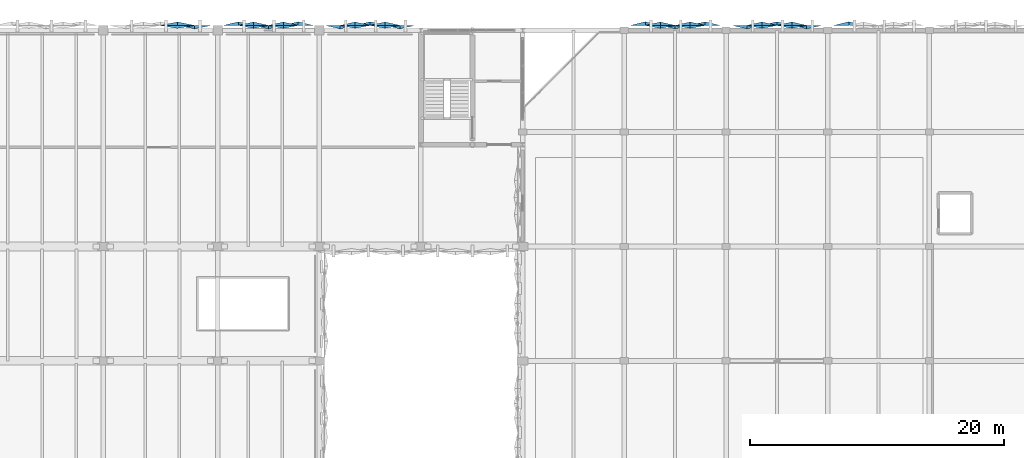
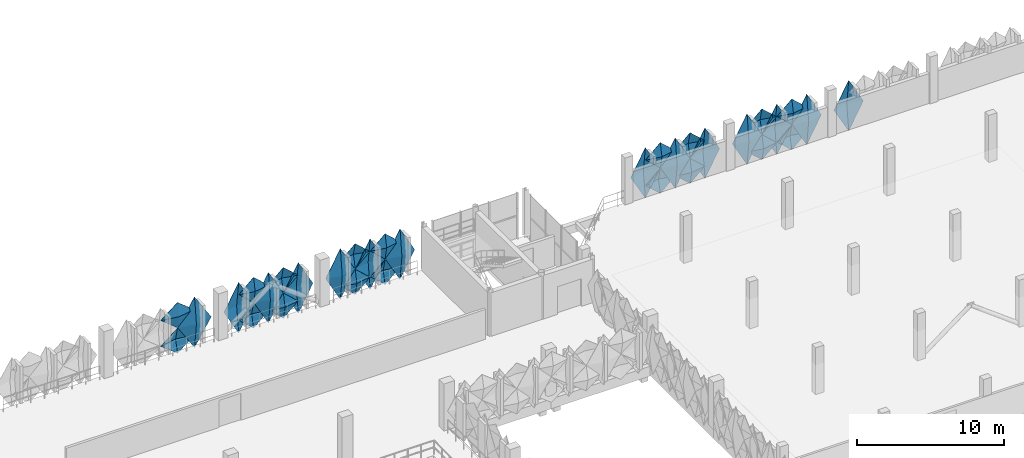
# One storey, part 65 of 76: 32 plates.
"""IFC4 building model written with IfcOpenShell, lengths in metres."""

import ifcopenshell
import ifcopenshell.guid

model = None  # the IFC model being written
_history = None  # IfcOwnerHistory: only IFC2X3 demands one
_inside = {}  # id of a spatial element -> (the spatial element, [elements in it])
_under = {}  # id of a project, library or spatial element -> (it, [spatial elements below it])
_declared = {}  # id of a project -> (the project, [libraries it declares])
_typed = {}  # id of a type object -> (the type object, [elements of that type])
_made_of = {}  # id of a material, layer set ... -> (it, [elements and type objects made of it])


def new_model(schema):
    """Start an empty IFC model of exactly this schema.

    Asked for "IFC4X3", IfcOpenShell would pick the latest addendum, in which some entities
    have other attributes; the version numbers below select the first issue.
    IFC2X3 requires an IfcOwnerHistory on every rooted entity: one is made here for all.
    """
    global model, _history
    if schema == "IFC4X3":
        model = ifcopenshell.file(schema_version=(4, 3, 0, 0))
    else:
        model = ifcopenshell.file(schema=schema)
    _inside.clear()
    _under.clear()
    _declared.clear()
    _typed.clear()
    _made_of.clear()
    _history = None
    if model.schema == "IFC2X3":
        org = make("IfcOrganization", Name="unknown")
        user = make(
            "IfcPersonAndOrganization",
            ThePerson=make("IfcPerson", FamilyName="unknown"),
            TheOrganization=org,
        )
        app = make(
            "IfcApplication",
            ApplicationDeveloper=org,
            Version="unknown",
            ApplicationFullName="unknown",
            ApplicationIdentifier="unknown",
        )
        _history = make(
            "IfcOwnerHistory",
            OwningUser=user,
            OwningApplication=app,
            ChangeAction="ADDED",
            CreationDate=0,
        )
    return model


def make(cls, **values):
    """One entity of the class cls with the attributes given. An attribute that is None is left unset."""
    return model.create_entity(
        cls, **{name: value for name, value in values.items() if value is not None}
    )


def rooted(cls, **values):
    """An entity with a GlobalId (a new one), such as an element, a storey or a relation."""
    return make(cls, GlobalId=ifcopenshell.guid.new(), OwnerHistory=_history, **values)


def si_unit(unit_type, name, prefix=None):
    """IfcSIUnit, for example si_unit("LENGTHUNIT", "METRE", prefix="MILLI")."""
    return make("IfcSIUnit", UnitType=unit_type, Prefix=prefix, Name=name)


def derived_unit(unit_type, elements):
    """IfcDerivedUnit: a product of units, each with its exponent."""
    return make(
        "IfcDerivedUnit",
        Elements=[
            make("IfcDerivedUnitElement", Unit=unit, Exponent=power)
            for unit, power in elements
        ],
        UnitType=unit_type,
    )


def assignment(units):
    """IfcUnitAssignment: the units of a project."""
    return None if units is None else make("IfcUnitAssignment", Units=units)


def point(xyz):
    """IfcCartesianPoint."""
    return None if xyz is None else make("IfcCartesianPoint", Coordinates=xyz)


def direction(xyz):
    """IfcDirection."""
    return None if xyz is None else make("IfcDirection", DirectionRatios=xyz)


def frame(location, z_axis=None, x_axis=None):
    """IfcAxis2Placement3D, a coordinate frame: its origin and axes. An axis left out is left unset."""
    return make(
        "IfcAxis2Placement3D",
        Location=point(location),
        Axis=direction(z_axis),
        RefDirection=direction(x_axis),
    )


def origin():
    """The frame at (0, 0, 0) with its axes left unset."""
    return frame((0.0, 0.0, 0.0))


def place(relative_to, where):
    """IfcLocalPlacement: puts the frame where relative to a parent placement (None: the world)."""
    return make(
        "IfcLocalPlacement", PlacementRelTo=relative_to, RelativePlacement=where
    )


def context(
    kind, dimensions, precision=None, world=None, true_north=None, identifier=None
):
    """IfcGeometricRepresentationContext, for example the 3D "Model" context."""
    return make(
        "IfcGeometricRepresentationContext",
        ContextIdentifier=identifier,
        ContextType=kind,
        CoordinateSpaceDimension=dimensions,
        Precision=precision,
        WorldCoordinateSystem=world,
        TrueNorth=true_north,
    )


def subcontext(parent, identifier, kind, view, scale=None):
    """IfcGeometricRepresentationSubContext, for example "Body" below "Model"."""
    return make(
        "IfcGeometricRepresentationSubContext",
        ContextIdentifier=identifier,
        ContextType=kind,
        ParentContext=parent,
        TargetScale=scale,
        TargetView=view,
    )


def project(units=None, contexts=None):
    """IfcProject with its units and contexts."""
    return rooted(
        "IfcProject",
        Name="project",
        RepresentationContexts=contexts,
        UnitsInContext=assignment(units),
    )


def spatial(cls, under=None, at=None, **own):
    """A site, building, storey or space (cls), placed at a placement, below another one or the project."""
    s = rooted(cls, ObjectPlacement=at, **own)
    if under is not None:
        _under.setdefault(under.id(), (under, []))[1].append(s)
    return s


def point_list(points):
    """IfcCartesianPointList2D or 3D."""
    cls = (
        "IfcCartesianPointList2D" if len(points[0]) == 2 else "IfcCartesianPointList3D"
    )
    return make(cls, CoordList=points)


def polygons(points, faces, closed=None, point_numbers=None):
    """IfcPolygonalFaceSet: a face is its outer loop, then its inner loops; points numbered from 1."""
    made = []
    for loops in faces:
        if len(loops) == 1:
            made.append(make("IfcIndexedPolygonalFace", CoordIndex=loops[0]))
        else:
            made.append(
                make(
                    "IfcIndexedPolygonalFaceWithVoids",
                    CoordIndex=loops[0],
                    InnerCoordIndices=loops[1:],
                )
            )
    return make(
        "IfcPolygonalFaceSet",
        Coordinates=point_list(points),
        Closed=closed,
        Faces=made,
        PnIndex=point_numbers,
    )


def shape(context_of_items, identifier, shape_type, items):
    """IfcShapeRepresentation: the items that make up one representation, for example the "Body"."""
    return make(
        "IfcShapeRepresentation",
        ContextOfItems=context_of_items,
        RepresentationIdentifier=identifier,
        RepresentationType=shape_type,
        Items=items,
    )


def material(Name=None, Category=None):
    """IfcMaterial."""
    return make("IfcMaterial", Name=Name, Category=Category)


def layer(
    of_material, thickness, ventilated=None, Name=None, Category=None, Priority=None
):
    """IfcMaterialLayer: one layer of a wall or slab, of a material (None: an air gap)."""
    return make(
        "IfcMaterialLayer",
        Material=of_material,
        LayerThickness=thickness,
        IsVentilated=ventilated,
        Name=Name,
        Category=Category,
        Priority=Priority,
    )


def layer_set(layers, Name=None):
    """IfcMaterialLayerSet."""
    return make("IfcMaterialLayerSet", MaterialLayers=layers, LayerSetName=Name)


def made_of(thing, what):
    """Note that an element or type object is made of a material, layer set ...; save() writes the relation."""
    if what is not None:
        _made_of.setdefault(what.id(), (what, []))[1].append(thing)
    return thing


def type_object(cls, material=None, **own):
    """A type object (cls), such as IfcWallType, which elements share."""
    return made_of(rooted(cls, **own), material)


def element(
    cls,
    number,
    at=None,
    inside=None,
    cuts=None,
    type_object=None,
    material=None,
    context=None,
    identifier="Body",
    shape_type=None,
    held_by="IfcProductDefinitionShape",
    body=None,
    shapes=None,
    **own,
):
    """One element of the class cls, such as IfcWall. Its Tag is "e" and its number.

    at: its placement. inside: the storey or other place that contains it. cuts: it is an
    opening in that element (IfcRelVoidsElement). A single representation is given by context,
    identifier, shape_type and body (its items); several are given by shapes. held_by: the class
    of the entity that holds the representations. save() writes the other relations.
    """
    e = rooted(cls, Tag="e%d" % number, ObjectPlacement=at, **own)
    if body is not None:
        shapes = [shape(context, identifier, shape_type, body)]
    if shapes is not None:
        e.Representation = make(held_by, Representations=shapes)
    if inside is not None:
        _inside.setdefault(inside.id(), (inside, []))[1].append(e)
    if cuts is not None:
        rooted(
            "IfcRelVoidsElement", RelatingBuildingElement=cuts, RelatedOpeningElement=e
        )
    if type_object is not None:
        _typed.setdefault(type_object.id(), (type_object, []))[1].append(e)
    return made_of(e, material)


def aggregate(whole, parts):
    """IfcRelAggregates: a whole, such as a stair, and the parts it consists of."""
    return rooted("IfcRelAggregates", RelatingObject=whole, RelatedObjects=parts)


def save(model, path):
    """Write the relations noted so far, then the file.

    IfcRelAggregates (storeys below a building ...), IfcRelContainedInSpatialStructure (elements
    in a storey), IfcRelDefinesByType, IfcRelAssociatesMaterial and IfcRelDeclares: one each for
    every whole, place, type object, material and project.
    """
    for whole, parts in _under.values():
        aggregate(whole, parts)
    for where, things in _inside.values():
        rooted(
            "IfcRelContainedInSpatialStructure",
            RelatedElements=things,
            RelatingStructure=where,
        )
    for kind, things in _typed.values():
        rooted("IfcRelDefinesByType", RelatedObjects=things, RelatingType=kind)
    for what, things in _made_of.values():
        rooted("IfcRelAssociatesMaterial", RelatedObjects=things, RelatingMaterial=what)
    for by, libraries in _declared.values():
        rooted("IfcRelDeclares", RelatingContext=by, RelatedDefinitions=libraries)
    model.write(path)


model = new_model("IFC4")

# Units and contexts
model_context = context("Model", 3, precision=1e-05, world=origin(), true_north=direction((0.0, 1.0)))
body_context = subcontext(model_context, "Body", "Model", "MODEL_VIEW")
ifc_project = project(units=[si_unit("LENGTHUNIT", "METRE"), si_unit("AREAUNIT", "SQUARE_METRE"), si_unit("VOLUMEUNIT", "CUBIC_METRE"), si_unit("PLANEANGLEUNIT", "RADIAN"), si_unit("MASSUNIT", "GRAM", prefix="KILO"), si_unit("THERMODYNAMICTEMPERATUREUNIT", "KELVIN"), derived_unit("THERMALTRANSMITTANCEUNIT", [(si_unit("POWERUNIT", "WATT"), 1), (si_unit("AREAUNIT", "SQUARE_METRE"), -1), (si_unit("THERMODYNAMICTEMPERATUREUNIT", "KELVIN"), -1)])], contexts=[model_context])

# Site, building, storey
site_placement = place(None, origin())
site = spatial("IfcSite", under=ifc_project, at=site_placement, CompositionType="ELEMENT")
building_placement = place(site_placement, origin())
building = spatial("IfcBuilding", under=site, at=building_placement, Name="Haiyu Intermodal Mobility Hub", CompositionType="ELEMENT")
storey_placement = place(building_placement, frame((0.0, 0.0, 17.300048828125)))
storey = spatial("IfcBuildingStorey", under=building, at=storey_placement, Name="L04", CompositionType="ELEMENT", Elevation=17.300048828125)

# Plates
ifc_material = material(Name="Anodised aluminium 6063-T6", Category="aluminium")
ifc_layer_1 = layer(ifc_material, 0.01806640625)
ifc_layer_set_1 = layer_set([ifc_layer_1], Name="Anodised aluminium 6063-T6")
plate_type_1 = type_object("IfcPlateType", Name="PLT-FC01", PredefinedType="USERDEFINED", material=ifc_layer_set_1)
plate_1_placement = place(storey_placement, origin())
element("IfcPlate", 1, at=plate_1_placement, inside=storey, type_object=plate_type_1, Name="PLT-PYR-0438", ObjectType="FACADE CASSETTE", PredefinedType="USERDEFINED", context=body_context, shape_type="Tessellation", body=[
    polygons([(134.840087890625, 148.39990234375, -0.52001953125), (133.52001953125, 148.39990234375, 0.530029296875), (134.840087890625, 148.39990234375, 1.579833984375), (136.159912109375, 148.39990234375, 0.530029296875), (134.840087890625, 148.659912109375, 0.530029296875), (134.840087890625, 148.3779296875, -0.52001953125), (133.52001953125, 148.3779296875, 0.530029296875), (134.840087890625, 148.3779296875, 1.579833984375), (136.159912109375, 148.3779296875, 0.530029296875), (134.840087890625, 148.637939453125, 0.530029296875)], [[[1, 2, 5]], [[2, 3, 5]], [[3, 4, 5]], [[4, 1, 5]], [[7, 6, 10]], [[8, 7, 10]], [[9, 8, 10]], [[6, 9, 10]], [[1, 6, 7, 2]], [[2, 7, 8, 3]], [[3, 8, 9, 4]], [[4, 9, 6, 1]]], closed=True),
])
plate_2_placement = place(storey_placement, origin())
element("IfcPlate", 2, at=plate_2_placement, inside=storey, type_object=plate_type_1, Name="PLT-PYR-0472", ObjectType="FACADE CASSETTE", PredefinedType="USERDEFINED", context=body_context, shape_type="Tessellation", body=[
    polygons([(144.346923828125, 148.39990234375, -0.510009765625), (143.193115234375, 148.39990234375, 1.599853515625), (144.346923828125, 148.39990234375, 3.7099609375), (145.5, 148.39990234375, 1.599853515625), (144.346923828125, 148.679931640625, 1.599853515625), (144.346923828125, 148.3779296875, -0.510009765625), (143.193115234375, 148.3779296875, 1.599853515625), (144.346923828125, 148.3779296875, 3.7099609375), (145.5, 148.3779296875, 1.599853515625), (144.346923828125, 148.657958984375, 1.599853515625)], [[[1, 2, 5]], [[2, 3, 5]], [[3, 4, 5]], [[4, 1, 5]], [[7, 6, 10]], [[8, 7, 10]], [[9, 8, 10]], [[6, 9, 10]], [[1, 6, 7, 2]], [[2, 7, 8, 3]], [[3, 8, 9, 4]], [[4, 9, 6, 1]]], closed=True),
])
plate_3_placement = place(storey_placement, origin())
element("IfcPlate", 3, at=plate_3_placement, inside=storey, type_object=plate_type_1, Name="PLT-PYR-0476", ObjectType="FACADE CASSETTE", PredefinedType="USERDEFINED", context=body_context, shape_type="Tessellation", body=[
    polygons([(140.826904296875, 148.39990234375, -0.52001953125), (139.673095703125, 148.39990234375, 0.530029296875), (140.826904296875, 148.39990234375, 1.579833984375), (141.97998046875, 148.39990234375, 0.530029296875), (140.826904296875, 148.659912109375, 0.530029296875), (140.826904296875, 148.3779296875, -0.52001953125), (139.673095703125, 148.3779296875, 0.530029296875), (140.826904296875, 148.3779296875, 1.579833984375), (141.97998046875, 148.3779296875, 0.530029296875), (140.826904296875, 148.637939453125, 0.530029296875)], [[[1, 2, 5]], [[2, 3, 5]], [[3, 4, 5]], [[4, 1, 5]], [[7, 6, 10]], [[8, 7, 10]], [[9, 8, 10]], [[6, 9, 10]], [[1, 6, 7, 2]], [[2, 7, 8, 3]], [[3, 8, 9, 4]], [[4, 9, 6, 1]]], closed=True),
])
plate_4_placement = place(storey_placement, origin())
element("IfcPlate", 4, at=plate_4_placement, inside=storey, type_object=plate_type_1, Name="PLT-PYR-0508", ObjectType="FACADE CASSETTE", PredefinedType="USERDEFINED", context=body_context, shape_type="Tessellation", body=[
    polygons([(151.173095703125, 148.39990234375, -0.52001953125), (150.02001953125, 148.39990234375, 0.530029296875), (151.173095703125, 148.39990234375, 1.579833984375), (152.326904296875, 148.39990234375, 0.530029296875), (151.173095703125, 148.659912109375, 0.530029296875), (151.173095703125, 148.3779296875, -0.52001953125), (150.02001953125, 148.3779296875, 0.530029296875), (151.173095703125, 148.3779296875, 1.579833984375), (152.326904296875, 148.3779296875, 0.530029296875), (151.173095703125, 148.637939453125, 0.530029296875)], [[[1, 2, 5]], [[2, 3, 5]], [[3, 4, 5]], [[4, 1, 5]], [[7, 6, 10]], [[8, 7, 10]], [[9, 8, 10]], [[6, 9, 10]], [[1, 6, 7, 2]], [[2, 7, 8, 3]], [[3, 8, 9, 4]], [[4, 9, 6, 1]]], closed=True),
])
plate_5_placement = place(storey_placement, origin())
element("IfcPlate", 5, at=plate_5_placement, inside=storey, type_object=plate_type_1, Name="PLT-PYR-1323", ObjectType="FACADE CASSETTE", PredefinedType="USERDEFINED", context=body_context, shape_type="Tessellation", body=[
    polygons([(176.346923828125, 148.39990234375, -0.510009765625), (175.193115234375, 148.39990234375, 1.599853515625), (176.346923828125, 148.39990234375, 3.7099609375), (177.5, 148.39990234375, 1.599853515625), (176.346923828125, 148.679931640625, 1.599853515625), (176.346923828125, 148.3779296875, -0.510009765625), (175.193115234375, 148.3779296875, 1.599853515625), (176.346923828125, 148.3779296875, 3.7099609375), (177.5, 148.3779296875, 1.599853515625), (176.346923828125, 148.657958984375, 1.599853515625)], [[[1, 2, 5]], [[2, 3, 5]], [[3, 4, 5]], [[4, 1, 5]], [[7, 6, 10]], [[8, 7, 10]], [[9, 8, 10]], [[6, 9, 10]], [[1, 6, 7, 2]], [[2, 7, 8, 3]], [[3, 8, 9, 4]], [[4, 9, 6, 1]]], closed=True),
])
plate_6_placement = place(storey_placement, origin())
element("IfcPlate", 6, at=plate_6_placement, inside=storey, type_object=plate_type_1, Name="PLT-PYR-1327", ObjectType="FACADE CASSETTE", PredefinedType="USERDEFINED", context=body_context, shape_type="Tessellation", body=[
    polygons([(172.826904296875, 148.39990234375, -0.52001953125), (171.673095703125, 148.39990234375, 0.530029296875), (172.826904296875, 148.39990234375, 1.579833984375), (173.97998046875, 148.39990234375, 0.530029296875), (172.826904296875, 148.659912109375, 0.530029296875), (172.826904296875, 148.3779296875, -0.52001953125), (171.673095703125, 148.3779296875, 0.530029296875), (172.826904296875, 148.3779296875, 1.579833984375), (173.97998046875, 148.3779296875, 0.530029296875), (172.826904296875, 148.637939453125, 0.530029296875)], [[[1, 2, 5]], [[2, 3, 5]], [[3, 4, 5]], [[4, 1, 5]], [[7, 6, 10]], [[8, 7, 10]], [[9, 8, 10]], [[6, 9, 10]], [[1, 6, 7, 2]], [[2, 7, 8, 3]], [[3, 8, 9, 4]], [[4, 9, 6, 1]]], closed=True),
])
plate_7_placement = place(storey_placement, origin())
element("IfcPlate", 7, at=plate_7_placement, inside=storey, type_object=plate_type_1, Name="PLT-PYR-1331", ObjectType="FACADE CASSETTE", PredefinedType="USERDEFINED", context=body_context, shape_type="Tessellation", body=[
    polygons([(183.173095703125, 148.39990234375, -0.52001953125), (182.02001953125, 148.39990234375, 0.530029296875), (183.173095703125, 148.39990234375, 1.579833984375), (184.326904296875, 148.39990234375, 0.530029296875), (183.173095703125, 148.659912109375, 0.530029296875), (183.173095703125, 148.3779296875, -0.52001953125), (182.02001953125, 148.3779296875, 0.530029296875), (183.173095703125, 148.3779296875, 1.579833984375), (184.326904296875, 148.3779296875, 0.530029296875), (183.173095703125, 148.637939453125, 0.530029296875)], [[[1, 2, 5]], [[2, 3, 5]], [[3, 4, 5]], [[4, 1, 5]], [[7, 6, 10]], [[8, 7, 10]], [[9, 8, 10]], [[6, 9, 10]], [[1, 6, 7, 2]], [[2, 7, 8, 3]], [[3, 8, 9, 4]], [[4, 9, 6, 1]]], closed=True),
])
ifc_layer_2 = layer(ifc_material, 0.02001953125)
ifc_layer_set_2 = layer_set([ifc_layer_2], Name="Anodised aluminium 6063-T6")
plate_type_2 = type_object("IfcPlateType", Name="PLT-FC02", PredefinedType="USERDEFINED", material=ifc_layer_set_2)
plate_8_placement = place(storey_placement, origin())
element("IfcPlate", 8, at=plate_8_placement, inside=storey, type_object=plate_type_2, Name="PLT-PYR-0437", ObjectType="FACADE CASSETTE", PredefinedType="USERDEFINED", context=body_context, shape_type="Tessellation", body=[
    polygons([(136.179931640625, 148.39990234375, -0.510009765625), (134.860107421875, 148.39990234375, 1.599853515625), (136.179931640625, 148.39990234375, 3.7099609375), (137.5, 148.39990234375, 1.599853515625), (136.179931640625, 148.139892578125, 1.599853515625), (136.179931640625, 148.3779296875, -0.510009765625), (134.860107421875, 148.3779296875, 1.599853515625), (136.179931640625, 148.3779296875, 3.7099609375), (137.5, 148.3779296875, 1.599853515625), (136.179931640625, 148.117919921875, 1.599853515625)], [[[1, 2, 5]], [[2, 3, 5]], [[3, 4, 5]], [[4, 1, 5]], [[7, 6, 10]], [[8, 7, 10]], [[9, 8, 10]], [[6, 9, 10]], [[1, 6, 7, 2]], [[2, 7, 8, 3]], [[3, 8, 9, 4]], [[4, 9, 6, 1]]], closed=True),
])
plate_9_placement = place(storey_placement, origin())
element("IfcPlate", 9, at=plate_9_placement, inside=storey, type_object=plate_type_2, Name="PLT-PYR-0473", ObjectType="FACADE CASSETTE", PredefinedType="USERDEFINED", context=body_context, shape_type="Tessellation", body=[
    polygons([(143.173095703125, 148.39990234375, -0.52001953125), (142.02001953125, 148.39990234375, 0.530029296875), (143.173095703125, 148.39990234375, 1.579833984375), (144.326904296875, 148.39990234375, 0.530029296875), (143.173095703125, 148.179931640625, 0.530029296875), (143.173095703125, 148.3779296875, -0.52001953125), (142.02001953125, 148.3779296875, 0.530029296875), (143.173095703125, 148.3779296875, 1.579833984375), (144.326904296875, 148.3779296875, 0.530029296875), (143.173095703125, 148.157958984375, 0.530029296875)], [[[1, 2, 5]], [[2, 3, 5]], [[3, 4, 5]], [[4, 1, 5]], [[7, 6, 10]], [[8, 7, 10]], [[9, 8, 10]], [[6, 9, 10]], [[1, 6, 7, 2]], [[2, 7, 8, 3]], [[3, 8, 9, 4]], [[4, 9, 6, 1]]], closed=True),
])
plate_10_placement = place(storey_placement, origin())
element("IfcPlate", 10, at=plate_10_placement, inside=storey, type_object=plate_type_2, Name="PLT-PYR-0507", ObjectType="FACADE CASSETTE", PredefinedType="USERDEFINED", context=body_context, shape_type="Tessellation", body=[
    polygons([(152.346923828125, 148.39990234375, -0.510009765625), (151.193115234375, 148.39990234375, 1.599853515625), (152.346923828125, 148.39990234375, 3.7099609375), (153.5, 148.39990234375, 1.599853515625), (152.346923828125, 148.139892578125, 1.599853515625), (152.346923828125, 148.3779296875, -0.510009765625), (151.193115234375, 148.3779296875, 1.599853515625), (152.346923828125, 148.3779296875, 3.7099609375), (153.5, 148.3779296875, 1.599853515625), (152.346923828125, 148.117919921875, 1.599853515625)], [[[1, 2, 5]], [[2, 3, 5]], [[3, 4, 5]], [[4, 1, 5]], [[7, 6, 10]], [[8, 7, 10]], [[9, 8, 10]], [[6, 9, 10]], [[1, 6, 7, 2]], [[2, 7, 8, 3]], [[3, 8, 9, 4]], [[4, 9, 6, 1]]], closed=True),
])
plate_11_placement = place(storey_placement, origin())
element("IfcPlate", 11, at=plate_11_placement, inside=storey, type_object=plate_type_2, Name="PLT-PYR-0511", ObjectType="FACADE CASSETTE", PredefinedType="USERDEFINED", context=body_context, shape_type="Tessellation", body=[
    polygons([(148.826904296875, 148.39990234375, -0.52001953125), (147.673095703125, 148.39990234375, 0.530029296875), (148.826904296875, 148.39990234375, 1.579833984375), (149.97998046875, 148.39990234375, 0.530029296875), (148.826904296875, 148.179931640625, 0.530029296875), (148.826904296875, 148.3779296875, -0.52001953125), (147.673095703125, 148.3779296875, 0.530029296875), (148.826904296875, 148.3779296875, 1.579833984375), (149.97998046875, 148.3779296875, 0.530029296875), (148.826904296875, 148.157958984375, 0.530029296875)], [[[1, 2, 5]], [[2, 3, 5]], [[3, 4, 5]], [[4, 1, 5]], [[7, 6, 10]], [[8, 7, 10]], [[9, 8, 10]], [[6, 9, 10]], [[1, 6, 7, 2]], [[2, 7, 8, 3]], [[3, 8, 9, 4]], [[4, 9, 6, 1]]], closed=True),
])
plate_12_placement = place(storey_placement, origin())
element("IfcPlate", 12, at=plate_12_placement, inside=storey, type_object=plate_type_2, Name="PLT-PYR-1324", ObjectType="FACADE CASSETTE", PredefinedType="USERDEFINED", context=body_context, shape_type="Tessellation", body=[
    polygons([(175.173095703125, 148.39990234375, -0.52001953125), (174.02001953125, 148.39990234375, 0.530029296875), (175.173095703125, 148.39990234375, 1.579833984375), (176.326904296875, 148.39990234375, 0.530029296875), (175.173095703125, 148.179931640625, 0.530029296875), (175.173095703125, 148.3779296875, -0.52001953125), (174.02001953125, 148.3779296875, 0.530029296875), (175.173095703125, 148.3779296875, 1.579833984375), (176.326904296875, 148.3779296875, 0.530029296875), (175.173095703125, 148.157958984375, 0.530029296875)], [[[1, 2, 5]], [[2, 3, 5]], [[3, 4, 5]], [[4, 1, 5]], [[7, 6, 10]], [[8, 7, 10]], [[9, 8, 10]], [[6, 9, 10]], [[1, 6, 7, 2]], [[2, 7, 8, 3]], [[3, 8, 9, 4]], [[4, 9, 6, 1]]], closed=True),
])
plate_13_placement = place(storey_placement, origin())
element("IfcPlate", 13, at=plate_13_placement, inside=storey, type_object=plate_type_2, Name="PLT-PYR-1330", ObjectType="FACADE CASSETTE", PredefinedType="USERDEFINED", context=body_context, shape_type="Tessellation", body=[
    polygons([(184.346923828125, 148.39990234375, -0.510009765625), (183.193115234375, 148.39990234375, 1.599853515625), (184.346923828125, 148.39990234375, 3.7099609375), (185.5, 148.39990234375, 1.599853515625), (184.346923828125, 148.139892578125, 1.599853515625), (184.346923828125, 148.3779296875, -0.510009765625), (183.193115234375, 148.3779296875, 1.599853515625), (184.346923828125, 148.3779296875, 3.7099609375), (185.5, 148.3779296875, 1.599853515625), (184.346923828125, 148.117919921875, 1.599853515625)], [[[1, 2, 5]], [[2, 3, 5]], [[3, 4, 5]], [[4, 1, 5]], [[7, 6, 10]], [[8, 7, 10]], [[9, 8, 10]], [[6, 9, 10]], [[1, 6, 7, 2]], [[2, 7, 8, 3]], [[3, 8, 9, 4]], [[4, 9, 6, 1]]], closed=True),
])
plate_14_placement = place(storey_placement, origin())
element("IfcPlate", 14, at=plate_14_placement, inside=storey, type_object=plate_type_2, Name="PLT-PYR-1334", ObjectType="FACADE CASSETTE", PredefinedType="USERDEFINED", context=body_context, shape_type="Tessellation", body=[
    polygons([(180.826904296875, 148.39990234375, -0.52001953125), (179.673095703125, 148.39990234375, 0.530029296875), (180.826904296875, 148.39990234375, 1.579833984375), (181.97998046875, 148.39990234375, 0.530029296875), (180.826904296875, 148.179931640625, 0.530029296875), (180.826904296875, 148.3779296875, -0.52001953125), (179.673095703125, 148.3779296875, 0.530029296875), (180.826904296875, 148.3779296875, 1.579833984375), (181.97998046875, 148.3779296875, 0.530029296875), (180.826904296875, 148.157958984375, 0.530029296875)], [[[1, 2, 5]], [[2, 3, 5]], [[3, 4, 5]], [[4, 1, 5]], [[7, 6, 10]], [[8, 7, 10]], [[9, 8, 10]], [[6, 9, 10]], [[1, 6, 7, 2]], [[2, 7, 8, 3]], [[3, 8, 9, 4]], [[4, 9, 6, 1]]], closed=True),
])
ifc_layer_3 = layer(ifc_material, 0.01806640625)
ifc_layer_set_3 = layer_set([ifc_layer_3], Name="Anodised aluminium 6063-T6")
plate_type_3 = type_object("IfcPlateType", Name="PLT-FC03", PredefinedType="USERDEFINED", material=ifc_layer_set_3)
plate_15_placement = place(storey_placement, origin())
element("IfcPlate", 15, at=plate_15_placement, inside=storey, type_object=plate_type_3, Name="PLT-PYR-0474", ObjectType="FACADE CASSETTE", PredefinedType="USERDEFINED", context=body_context, shape_type="Tessellation", body=[
    polygons([(143.173095703125, 148.39990234375, 1.619873046875), (142.02001953125, 148.39990234375, 2.669921875), (143.173095703125, 148.39990234375, 3.719970703125), (144.326904296875, 148.39990234375, 2.669921875), (143.173095703125, 148.659912109375, 2.669921875), (143.173095703125, 148.3779296875, 1.619873046875), (142.02001953125, 148.3779296875, 2.669921875), (143.173095703125, 148.3779296875, 3.719970703125), (144.326904296875, 148.3779296875, 2.669921875), (143.173095703125, 148.637939453125, 2.669921875)], [[[1, 2, 5]], [[2, 3, 5]], [[3, 4, 5]], [[4, 1, 5]], [[7, 6, 10]], [[8, 7, 10]], [[9, 8, 10]], [[6, 9, 10]], [[1, 6, 7, 2]], [[2, 7, 8, 3]], [[3, 8, 9, 4]], [[4, 9, 6, 1]]], closed=True),
])
plate_16_placement = place(storey_placement, origin())
element("IfcPlate", 16, at=plate_16_placement, inside=storey, type_object=plate_type_3, Name="PLT-PYR-0510", ObjectType="FACADE CASSETTE", PredefinedType="USERDEFINED", context=body_context, shape_type="Tessellation", body=[
    polygons([(150.0, 148.39990234375, -0.510009765625), (148.846923828125, 148.39990234375, 1.599853515625), (150.0, 148.39990234375, 3.7099609375), (151.153076171875, 148.39990234375, 1.599853515625), (150.0, 148.679931640625, 1.599853515625), (150.0, 148.3779296875, -0.510009765625), (148.846923828125, 148.3779296875, 1.599853515625), (150.0, 148.3779296875, 3.7099609375), (151.153076171875, 148.3779296875, 1.599853515625), (150.0, 148.657958984375, 1.599853515625)], [[[1, 2, 5]], [[2, 3, 5]], [[3, 4, 5]], [[4, 1, 5]], [[7, 6, 10]], [[8, 7, 10]], [[9, 8, 10]], [[6, 9, 10]], [[1, 6, 7, 2]], [[2, 7, 8, 3]], [[3, 8, 9, 4]], [[4, 9, 6, 1]]], closed=True),
])
plate_17_placement = place(storey_placement, origin())
element("IfcPlate", 17, at=plate_17_placement, inside=storey, type_object=plate_type_3, Name="PLT-PYR-0512", ObjectType="FACADE CASSETTE", PredefinedType="USERDEFINED", context=body_context, shape_type="Tessellation", body=[
    polygons([(148.826904296875, 148.39990234375, 1.619873046875), (147.673095703125, 148.39990234375, 2.669921875), (148.826904296875, 148.39990234375, 3.719970703125), (149.97998046875, 148.39990234375, 2.669921875), (148.826904296875, 148.659912109375, 2.669921875), (148.826904296875, 148.3779296875, 1.619873046875), (147.673095703125, 148.3779296875, 2.669921875), (148.826904296875, 148.3779296875, 3.719970703125), (149.97998046875, 148.3779296875, 2.669921875), (148.826904296875, 148.637939453125, 2.669921875)], [[[1, 2, 5]], [[2, 3, 5]], [[3, 4, 5]], [[4, 1, 5]], [[7, 6, 10]], [[8, 7, 10]], [[9, 8, 10]], [[6, 9, 10]], [[1, 6, 7, 2]], [[2, 7, 8, 3]], [[3, 8, 9, 4]], [[4, 9, 6, 1]]], closed=True),
])
plate_18_placement = place(storey_placement, origin())
element("IfcPlate", 18, at=plate_18_placement, inside=storey, type_object=plate_type_3, Name="PLT-PYR-1325", ObjectType="FACADE CASSETTE", PredefinedType="USERDEFINED", context=body_context, shape_type="Tessellation", body=[
    polygons([(175.173095703125, 148.39990234375, 1.619873046875), (174.02001953125, 148.39990234375, 2.669921875), (175.173095703125, 148.39990234375, 3.719970703125), (176.326904296875, 148.39990234375, 2.669921875), (175.173095703125, 148.659912109375, 2.669921875), (175.173095703125, 148.3779296875, 1.619873046875), (174.02001953125, 148.3779296875, 2.669921875), (175.173095703125, 148.3779296875, 3.719970703125), (176.326904296875, 148.3779296875, 2.669921875), (175.173095703125, 148.637939453125, 2.669921875)], [[[1, 2, 5]], [[2, 3, 5]], [[3, 4, 5]], [[4, 1, 5]], [[7, 6, 10]], [[8, 7, 10]], [[9, 8, 10]], [[6, 9, 10]], [[1, 6, 7, 2]], [[2, 7, 8, 3]], [[3, 8, 9, 4]], [[4, 9, 6, 1]]], closed=True),
])
plate_19_placement = place(storey_placement, origin())
element("IfcPlate", 19, at=plate_19_placement, inside=storey, type_object=plate_type_3, Name="PLT-PYR-1333", ObjectType="FACADE CASSETTE", PredefinedType="USERDEFINED", context=body_context, shape_type="Tessellation", body=[
    polygons([(182.0, 148.39990234375, -0.510009765625), (180.846923828125, 148.39990234375, 1.599853515625), (182.0, 148.39990234375, 3.7099609375), (183.153076171875, 148.39990234375, 1.599853515625), (182.0, 148.679931640625, 1.599853515625), (182.0, 148.3779296875, -0.510009765625), (180.846923828125, 148.3779296875, 1.599853515625), (182.0, 148.3779296875, 3.7099609375), (183.153076171875, 148.3779296875, 1.599853515625), (182.0, 148.657958984375, 1.599853515625)], [[[1, 2, 5]], [[2, 3, 5]], [[3, 4, 5]], [[4, 1, 5]], [[7, 6, 10]], [[8, 7, 10]], [[9, 8, 10]], [[6, 9, 10]], [[1, 6, 7, 2]], [[2, 7, 8, 3]], [[3, 8, 9, 4]], [[4, 9, 6, 1]]], closed=True),
])
plate_20_placement = place(storey_placement, origin())
element("IfcPlate", 20, at=plate_20_placement, inside=storey, type_object=plate_type_3, Name="PLT-PYR-1335", ObjectType="FACADE CASSETTE", PredefinedType="USERDEFINED", context=body_context, shape_type="Tessellation", body=[
    polygons([(180.826904296875, 148.39990234375, 1.619873046875), (179.673095703125, 148.39990234375, 2.669921875), (180.826904296875, 148.39990234375, 3.719970703125), (181.97998046875, 148.39990234375, 2.669921875), (180.826904296875, 148.659912109375, 2.669921875), (180.826904296875, 148.3779296875, 1.619873046875), (179.673095703125, 148.3779296875, 2.669921875), (180.826904296875, 148.3779296875, 3.719970703125), (181.97998046875, 148.3779296875, 2.669921875), (180.826904296875, 148.637939453125, 2.669921875)], [[[1, 2, 5]], [[2, 3, 5]], [[3, 4, 5]], [[4, 1, 5]], [[7, 6, 10]], [[8, 7, 10]], [[9, 8, 10]], [[6, 9, 10]], [[1, 6, 7, 2]], [[2, 7, 8, 3]], [[3, 8, 9, 4]], [[4, 9, 6, 1]]], closed=True),
])
ifc_layer_4 = layer(ifc_material, 0.02001953125)
ifc_layer_set_4 = layer_set([ifc_layer_4], Name="Anodised aluminium 6063-T6")
plate_type_4 = type_object("IfcPlateType", Name="PLT-FC04", PredefinedType="USERDEFINED", material=ifc_layer_set_4)
plate_21_placement = place(storey_placement, origin())
element("IfcPlate", 21, at=plate_21_placement, inside=storey, type_object=plate_type_4, Name="PLT-PYR-0439", ObjectType="FACADE CASSETTE", PredefinedType="USERDEFINED", context=body_context, shape_type="Tessellation", body=[
    polygons([(134.840087890625, 148.39990234375, 1.619873046875), (133.52001953125, 148.39990234375, 2.669921875), (134.840087890625, 148.39990234375, 3.719970703125), (136.159912109375, 148.39990234375, 2.669921875), (134.840087890625, 148.179931640625, 2.669921875), (134.840087890625, 148.3779296875, 1.619873046875), (133.52001953125, 148.3779296875, 2.669921875), (134.840087890625, 148.3779296875, 3.719970703125), (136.159912109375, 148.3779296875, 2.669921875), (134.840087890625, 148.157958984375, 2.669921875)], [[[1, 2, 5]], [[2, 3, 5]], [[3, 4, 5]], [[4, 1, 5]], [[7, 6, 10]], [[8, 7, 10]], [[9, 8, 10]], [[6, 9, 10]], [[1, 6, 7, 2]], [[2, 7, 8, 3]], [[3, 8, 9, 4]], [[4, 9, 6, 1]]], closed=True),
])
plate_22_placement = place(storey_placement, origin())
element("IfcPlate", 22, at=plate_22_placement, inside=storey, type_object=plate_type_4, Name="PLT-PYR-0475", ObjectType="FACADE CASSETTE", PredefinedType="USERDEFINED", context=body_context, shape_type="Tessellation", body=[
    polygons([(142.0, 148.39990234375, -0.510009765625), (140.846923828125, 148.39990234375, 1.599853515625), (142.0, 148.39990234375, 3.7099609375), (143.153076171875, 148.39990234375, 1.599853515625), (142.0, 148.139892578125, 1.599853515625), (142.0, 148.3779296875, -0.510009765625), (140.846923828125, 148.3779296875, 1.599853515625), (142.0, 148.3779296875, 3.7099609375), (143.153076171875, 148.3779296875, 1.599853515625), (142.0, 148.117919921875, 1.599853515625)], [[[1, 2, 5]], [[2, 3, 5]], [[3, 4, 5]], [[4, 1, 5]], [[7, 6, 10]], [[8, 7, 10]], [[9, 8, 10]], [[6, 9, 10]], [[1, 6, 7, 2]], [[2, 7, 8, 3]], [[3, 8, 9, 4]], [[4, 9, 6, 1]]], closed=True),
])
plate_23_placement = place(storey_placement, origin())
element("IfcPlate", 23, at=plate_23_placement, inside=storey, type_object=plate_type_4, Name="PLT-PYR-0477", ObjectType="FACADE CASSETTE", PredefinedType="USERDEFINED", context=body_context, shape_type="Tessellation", body=[
    polygons([(140.826904296875, 148.39990234375, 1.619873046875), (139.673095703125, 148.39990234375, 2.669921875), (140.826904296875, 148.39990234375, 3.719970703125), (141.97998046875, 148.39990234375, 2.669921875), (140.826904296875, 148.179931640625, 2.669921875), (140.826904296875, 148.3779296875, 1.619873046875), (139.673095703125, 148.3779296875, 2.669921875), (140.826904296875, 148.3779296875, 3.719970703125), (141.97998046875, 148.3779296875, 2.669921875), (140.826904296875, 148.157958984375, 2.669921875)], [[[1, 2, 5]], [[2, 3, 5]], [[3, 4, 5]], [[4, 1, 5]], [[7, 6, 10]], [[8, 7, 10]], [[9, 8, 10]], [[6, 9, 10]], [[1, 6, 7, 2]], [[2, 7, 8, 3]], [[3, 8, 9, 4]], [[4, 9, 6, 1]]], closed=True),
])
plate_24_placement = place(storey_placement, origin())
element("IfcPlate", 24, at=plate_24_placement, inside=storey, type_object=plate_type_4, Name="PLT-PYR-0509", ObjectType="FACADE CASSETTE", PredefinedType="USERDEFINED", context=body_context, shape_type="Tessellation", body=[
    polygons([(151.173095703125, 148.39990234375, 1.619873046875), (150.02001953125, 148.39990234375, 2.669921875), (151.173095703125, 148.39990234375, 3.719970703125), (152.326904296875, 148.39990234375, 2.669921875), (151.173095703125, 148.179931640625, 2.669921875), (151.173095703125, 148.3779296875, 1.619873046875), (150.02001953125, 148.3779296875, 2.669921875), (151.173095703125, 148.3779296875, 3.719970703125), (152.326904296875, 148.3779296875, 2.669921875), (151.173095703125, 148.157958984375, 2.669921875)], [[[1, 2, 5]], [[2, 3, 5]], [[3, 4, 5]], [[4, 1, 5]], [[7, 6, 10]], [[8, 7, 10]], [[9, 8, 10]], [[6, 9, 10]], [[1, 6, 7, 2]], [[2, 7, 8, 3]], [[3, 8, 9, 4]], [[4, 9, 6, 1]]], closed=True),
])
plate_25_placement = place(storey_placement, origin())
element("IfcPlate", 25, at=plate_25_placement, inside=storey, type_object=plate_type_4, Name="PLT-PYR-1326", ObjectType="FACADE CASSETTE", PredefinedType="USERDEFINED", context=body_context, shape_type="Tessellation", body=[
    polygons([(174.0, 148.39990234375, -0.510009765625), (172.846923828125, 148.39990234375, 1.599853515625), (174.0, 148.39990234375, 3.7099609375), (175.153076171875, 148.39990234375, 1.599853515625), (174.0, 148.139892578125, 1.599853515625), (174.0, 148.3779296875, -0.510009765625), (172.846923828125, 148.3779296875, 1.599853515625), (174.0, 148.3779296875, 3.7099609375), (175.153076171875, 148.3779296875, 1.599853515625), (174.0, 148.117919921875, 1.599853515625)], [[[1, 2, 5]], [[2, 3, 5]], [[3, 4, 5]], [[4, 1, 5]], [[7, 6, 10]], [[8, 7, 10]], [[9, 8, 10]], [[6, 9, 10]], [[1, 6, 7, 2]], [[2, 7, 8, 3]], [[3, 8, 9, 4]], [[4, 9, 6, 1]]], closed=True),
])
plate_26_placement = place(storey_placement, origin())
element("IfcPlate", 26, at=plate_26_placement, inside=storey, type_object=plate_type_4, Name="PLT-PYR-1328", ObjectType="FACADE CASSETTE", PredefinedType="USERDEFINED", context=body_context, shape_type="Tessellation", body=[
    polygons([(172.826904296875, 148.39990234375, 1.619873046875), (171.673095703125, 148.39990234375, 2.669921875), (172.826904296875, 148.39990234375, 3.719970703125), (173.97998046875, 148.39990234375, 2.669921875), (172.826904296875, 148.179931640625, 2.669921875), (172.826904296875, 148.3779296875, 1.619873046875), (171.673095703125, 148.3779296875, 2.669921875), (172.826904296875, 148.3779296875, 3.719970703125), (173.97998046875, 148.3779296875, 2.669921875), (172.826904296875, 148.157958984375, 2.669921875)], [[[1, 2, 5]], [[2, 3, 5]], [[3, 4, 5]], [[4, 1, 5]], [[7, 6, 10]], [[8, 7, 10]], [[9, 8, 10]], [[6, 9, 10]], [[1, 6, 7, 2]], [[2, 7, 8, 3]], [[3, 8, 9, 4]], [[4, 9, 6, 1]]], closed=True),
])
plate_27_placement = place(storey_placement, origin())
element("IfcPlate", 27, at=plate_27_placement, inside=storey, type_object=plate_type_4, Name="PLT-PYR-1332", ObjectType="FACADE CASSETTE", PredefinedType="USERDEFINED", context=body_context, shape_type="Tessellation", body=[
    polygons([(183.173095703125, 148.39990234375, 1.619873046875), (182.02001953125, 148.39990234375, 2.669921875), (183.173095703125, 148.39990234375, 3.719970703125), (184.326904296875, 148.39990234375, 2.669921875), (183.173095703125, 148.179931640625, 2.669921875), (183.173095703125, 148.3779296875, 1.619873046875), (182.02001953125, 148.3779296875, 2.669921875), (183.173095703125, 148.3779296875, 3.719970703125), (184.326904296875, 148.3779296875, 2.669921875), (183.173095703125, 148.157958984375, 2.669921875)], [[[1, 2, 5]], [[2, 3, 5]], [[3, 4, 5]], [[4, 1, 5]], [[7, 6, 10]], [[8, 7, 10]], [[9, 8, 10]], [[6, 9, 10]], [[1, 6, 7, 2]], [[2, 7, 8, 3]], [[3, 8, 9, 4]], [[4, 9, 6, 1]]], closed=True),
])
ifc_layer_5 = layer(ifc_material, 0.01806640625)
ifc_layer_set_5 = layer_set([ifc_layer_5], Name="Anodised aluminium 6063-T6")
plate_type_5 = type_object("IfcPlateType", Name="PLT-FC05", PredefinedType="USERDEFINED", material=ifc_layer_set_5)
plate_28_placement = place(storey_placement, origin())
element("IfcPlate", 28, at=plate_28_placement, inside=storey, type_object=plate_type_5, Name="PLT-PYR-0478", ObjectType="FACADE CASSETTE", PredefinedType="USERDEFINED", context=body_context, shape_type="Tessellation", body=[
    polygons([(139.653076171875, 148.39990234375, -0.510009765625), (138.5, 148.39990234375, 1.599853515625), (139.653076171875, 148.39990234375, 3.7099609375), (140.806884765625, 148.39990234375, 1.599853515625), (139.653076171875, 148.679931640625, 1.599853515625), (139.653076171875, 148.3779296875, -0.510009765625), (138.5, 148.3779296875, 1.599853515625), (139.653076171875, 148.3779296875, 3.7099609375), (140.806884765625, 148.3779296875, 1.599853515625), (139.653076171875, 148.657958984375, 1.599853515625)], [[[1, 2, 5]], [[2, 3, 5]], [[3, 4, 5]], [[4, 1, 5]], [[7, 6, 10]], [[8, 7, 10]], [[9, 8, 10]], [[6, 9, 10]], [[1, 6, 7, 2]], [[2, 7, 8, 3]], [[3, 8, 9, 4]], [[4, 9, 6, 1]]], closed=True),
])
plate_29_placement = place(storey_placement, origin())
element("IfcPlate", 29, at=plate_29_placement, inside=storey, type_object=plate_type_5, Name="PLT-PYR-1329", ObjectType="FACADE CASSETTE", PredefinedType="USERDEFINED", context=body_context, shape_type="Tessellation", body=[
    polygons([(171.653076171875, 148.39990234375, -0.510009765625), (170.5, 148.39990234375, 1.599853515625), (171.653076171875, 148.39990234375, 3.7099609375), (172.806884765625, 148.39990234375, 1.599853515625), (171.653076171875, 148.679931640625, 1.599853515625), (171.653076171875, 148.3779296875, -0.510009765625), (170.5, 148.3779296875, 1.599853515625), (171.653076171875, 148.3779296875, 3.7099609375), (172.806884765625, 148.3779296875, 1.599853515625), (171.653076171875, 148.657958984375, 1.599853515625)], [[[1, 2, 5]], [[2, 3, 5]], [[3, 4, 5]], [[4, 1, 5]], [[7, 6, 10]], [[8, 7, 10]], [[9, 8, 10]], [[6, 9, 10]], [[1, 6, 7, 2]], [[2, 7, 8, 3]], [[3, 8, 9, 4]], [[4, 9, 6, 1]]], closed=True),
])
plate_30_placement = place(storey_placement, origin())
element("IfcPlate", 30, at=plate_30_placement, inside=storey, type_object=plate_type_5, Name="PLT-PYR-1343", ObjectType="FACADE CASSETTE", PredefinedType="USERDEFINED", context=body_context, shape_type="Tessellation", body=[
    polygons([(187.653076171875, 148.39990234375, -0.510009765625), (186.5, 148.39990234375, 1.599853515625), (187.653076171875, 148.39990234375, 3.7099609375), (188.806884765625, 148.39990234375, 1.599853515625), (187.653076171875, 148.679931640625, 1.599853515625), (187.653076171875, 148.3779296875, -0.510009765625), (186.5, 148.3779296875, 1.599853515625), (187.653076171875, 148.3779296875, 3.7099609375), (188.806884765625, 148.3779296875, 1.599853515625), (187.653076171875, 148.657958984375, 1.599853515625)], [[[1, 2, 5]], [[2, 3, 5]], [[3, 4, 5]], [[4, 1, 5]], [[7, 6, 10]], [[8, 7, 10]], [[9, 8, 10]], [[6, 9, 10]], [[1, 6, 7, 2]], [[2, 7, 8, 3]], [[3, 8, 9, 4]], [[4, 9, 6, 1]]], closed=True),
])
ifc_layer_6 = layer(ifc_material, 0.02001953125)
ifc_layer_set_6 = layer_set([ifc_layer_6], Name="Anodised aluminium 6063-T6")
plate_type_6 = type_object("IfcPlateType", Name="PLT-FC06", PredefinedType="USERDEFINED", material=ifc_layer_set_6)
plate_31_placement = place(storey_placement, origin())
element("IfcPlate", 31, at=plate_31_placement, inside=storey, type_object=plate_type_6, Name="PLT-PYR-0513", ObjectType="FACADE CASSETTE", PredefinedType="USERDEFINED", context=body_context, shape_type="Tessellation", body=[
    polygons([(147.653076171875, 148.39990234375, -0.510009765625), (146.5, 148.39990234375, 1.599853515625), (147.653076171875, 148.39990234375, 3.7099609375), (148.806884765625, 148.39990234375, 1.599853515625), (147.653076171875, 148.139892578125, 1.599853515625), (147.653076171875, 148.3779296875, -0.510009765625), (146.5, 148.3779296875, 1.599853515625), (147.653076171875, 148.3779296875, 3.7099609375), (148.806884765625, 148.3779296875, 1.599853515625), (147.653076171875, 148.117919921875, 1.599853515625)], [[[1, 2, 5]], [[2, 3, 5]], [[3, 4, 5]], [[4, 1, 5]], [[7, 6, 10]], [[8, 7, 10]], [[9, 8, 10]], [[6, 9, 10]], [[1, 6, 7, 2]], [[2, 7, 8, 3]], [[3, 8, 9, 4]], [[4, 9, 6, 1]]], closed=True),
])
plate_32_placement = place(storey_placement, origin())
element("IfcPlate", 32, at=plate_32_placement, inside=storey, type_object=plate_type_6, Name="PLT-PYR-1336", ObjectType="FACADE CASSETTE", PredefinedType="USERDEFINED", context=body_context, shape_type="Tessellation", body=[
    polygons([(179.653076171875, 148.39990234375, -0.510009765625), (178.5, 148.39990234375, 1.599853515625), (179.653076171875, 148.39990234375, 3.7099609375), (180.806884765625, 148.39990234375, 1.599853515625), (179.653076171875, 148.139892578125, 1.599853515625), (179.653076171875, 148.3779296875, -0.510009765625), (178.5, 148.3779296875, 1.599853515625), (179.653076171875, 148.3779296875, 3.7099609375), (180.806884765625, 148.3779296875, 1.599853515625), (179.653076171875, 148.117919921875, 1.599853515625)], [[[1, 2, 5]], [[2, 3, 5]], [[3, 4, 5]], [[4, 1, 5]], [[7, 6, 10]], [[8, 7, 10]], [[9, 8, 10]], [[6, 9, 10]], [[1, 6, 7, 2]], [[2, 7, 8, 3]], [[3, 8, 9, 4]], [[4, 9, 6, 1]]], closed=True),
])

save(model, "model.ifc")
